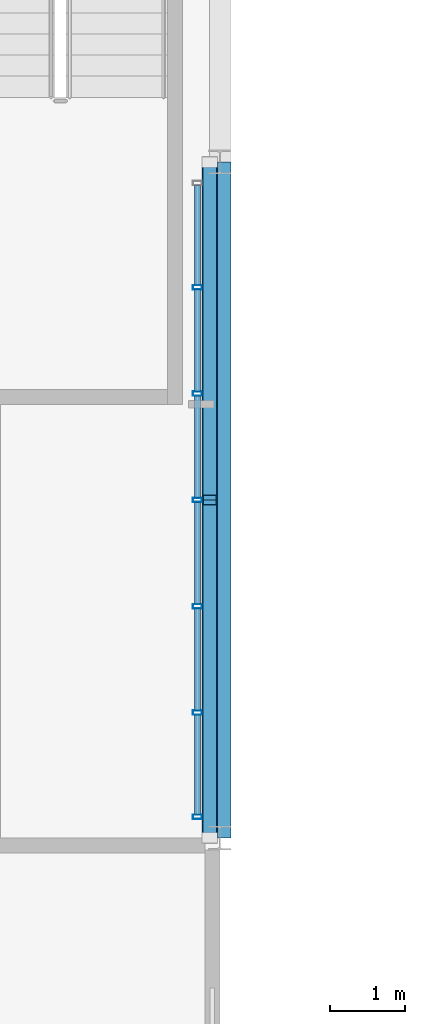
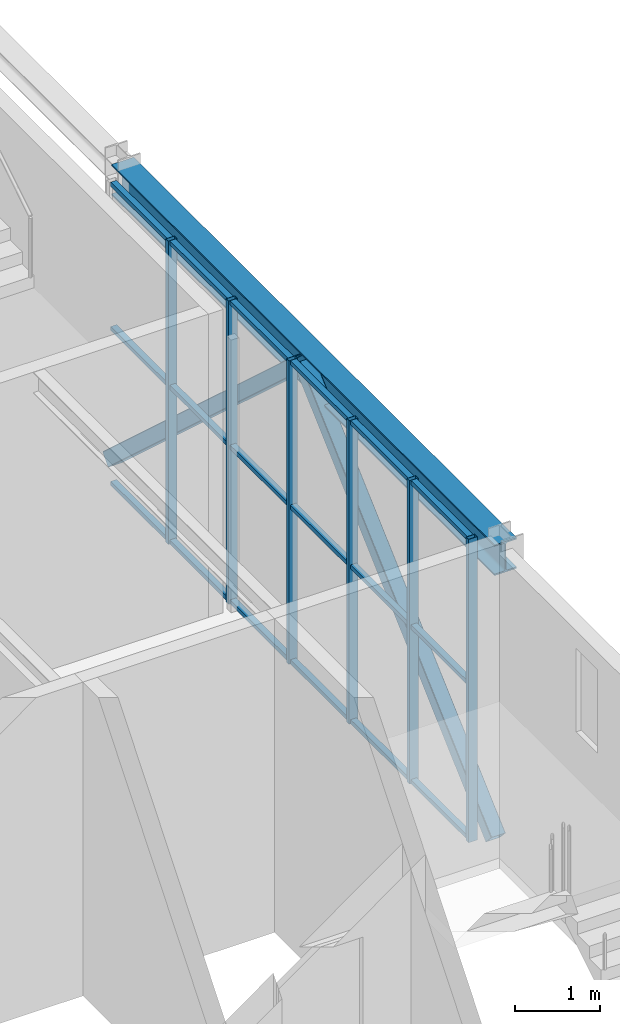
# One storey, part 44 of 111: 26 members, 1 beam, 1 element without a shape of its own.
"""IFC4 building model written with IfcOpenShell, lengths in metres."""

import ifcopenshell
import ifcopenshell.guid

model = None  # the IFC model being written
_history = None  # IfcOwnerHistory: only IFC2X3 demands one
_inside = {}  # id of a spatial element -> (the spatial element, [elements in it])
_under = {}  # id of a project, library or spatial element -> (it, [spatial elements below it])
_declared = {}  # id of a project -> (the project, [libraries it declares])
_typed = {}  # id of a type object -> (the type object, [elements of that type])
_made_of = {}  # id of a material, layer set ... -> (it, [elements and type objects made of it])


def new_model(schema):
    """Start an empty IFC model of exactly this schema.

    Asked for "IFC4X3", IfcOpenShell would pick the latest addendum, in which some entities
    have other attributes; the version numbers below select the first issue.
    IFC2X3 requires an IfcOwnerHistory on every rooted entity: one is made here for all.
    """
    global model, _history
    if schema == "IFC4X3":
        model = ifcopenshell.file(schema_version=(4, 3, 0, 0))
    else:
        model = ifcopenshell.file(schema=schema)
    _inside.clear()
    _under.clear()
    _declared.clear()
    _typed.clear()
    _made_of.clear()
    _history = None
    if model.schema == "IFC2X3":
        org = make("IfcOrganization", Name="unknown")
        user = make(
            "IfcPersonAndOrganization",
            ThePerson=make("IfcPerson", FamilyName="unknown"),
            TheOrganization=org,
        )
        app = make(
            "IfcApplication",
            ApplicationDeveloper=org,
            Version="unknown",
            ApplicationFullName="unknown",
            ApplicationIdentifier="unknown",
        )
        _history = make(
            "IfcOwnerHistory",
            OwningUser=user,
            OwningApplication=app,
            ChangeAction="ADDED",
            CreationDate=0,
        )
    return model


def make(cls, **values):
    """One entity of the class cls with the attributes given. An attribute that is None is left unset."""
    return model.create_entity(
        cls, **{name: value for name, value in values.items() if value is not None}
    )


def rooted(cls, **values):
    """An entity with a GlobalId (a new one), such as an element, a storey or a relation."""
    return make(cls, GlobalId=ifcopenshell.guid.new(), OwnerHistory=_history, **values)


def si_unit(unit_type, name, prefix=None):
    """IfcSIUnit, for example si_unit("LENGTHUNIT", "METRE", prefix="MILLI")."""
    return make("IfcSIUnit", UnitType=unit_type, Prefix=prefix, Name=name)


def assignment(units):
    """IfcUnitAssignment: the units of a project."""
    return None if units is None else make("IfcUnitAssignment", Units=units)


def point(xyz):
    """IfcCartesianPoint."""
    return None if xyz is None else make("IfcCartesianPoint", Coordinates=xyz)


def direction(xyz):
    """IfcDirection."""
    return None if xyz is None else make("IfcDirection", DirectionRatios=xyz)


def frame(location, z_axis=None, x_axis=None):
    """IfcAxis2Placement3D, a coordinate frame: its origin and axes. An axis left out is left unset."""
    return make(
        "IfcAxis2Placement3D",
        Location=point(location),
        Axis=direction(z_axis),
        RefDirection=direction(x_axis),
    )


def frame_2d(location, x_axis=None):
    """IfcAxis2Placement2D, a coordinate frame in the plane: its origin and x axis."""
    return make(
        "IfcAxis2Placement2D", Location=point(location), RefDirection=direction(x_axis)
    )


def origin():
    """The frame at (0, 0, 0) with its axes left unset."""
    return frame((0.0, 0.0, 0.0))


def origin_2d():
    """The frame at (0, 0) in the plane with its x axis left unset."""
    return frame_2d((0.0, 0.0))


def place(relative_to, where):
    """IfcLocalPlacement: puts the frame where relative to a parent placement (None: the world)."""
    return make(
        "IfcLocalPlacement", PlacementRelTo=relative_to, RelativePlacement=where
    )


def context(
    kind, dimensions, precision=None, world=None, true_north=None, identifier=None
):
    """IfcGeometricRepresentationContext, for example the 3D "Model" context."""
    return make(
        "IfcGeometricRepresentationContext",
        ContextIdentifier=identifier,
        ContextType=kind,
        CoordinateSpaceDimension=dimensions,
        Precision=precision,
        WorldCoordinateSystem=world,
        TrueNorth=true_north,
    )


def subcontext(parent, identifier, kind, view, scale=None):
    """IfcGeometricRepresentationSubContext, for example "Body" below "Model"."""
    return make(
        "IfcGeometricRepresentationSubContext",
        ContextIdentifier=identifier,
        ContextType=kind,
        ParentContext=parent,
        TargetScale=scale,
        TargetView=view,
    )


def project(units=None, contexts=None):
    """IfcProject with its units and contexts."""
    return rooted(
        "IfcProject",
        Name="project",
        RepresentationContexts=contexts,
        UnitsInContext=assignment(units),
    )


def spatial(cls, under=None, at=None, **own):
    """A site, building, storey or space (cls), placed at a placement, below another one or the project."""
    s = rooted(cls, ObjectPlacement=at, **own)
    if under is not None:
        _under.setdefault(under.id(), (under, []))[1].append(s)
    return s


def profile(cls, at=None, kind="AREA", **sizes):
    """A parametric profile (cls). Its sizes go by their IFC names, for example OverallWidth=200.0."""
    return make(cls, ProfileType=kind, Position=at, **sizes)


def hollow_rectangle(**sizes):
    """IfcRectangleHollowProfileDef."""
    return profile("IfcRectangleHollowProfileDef", **sizes)


def i_section(**sizes):
    """IfcIShapeProfileDef."""
    return profile("IfcIShapeProfileDef", **sizes)


def extrude(swept, where, along, depth):
    """IfcExtrudedAreaSolid: the profile swept, set in the frame where, extruded along a direction by depth."""
    return make(
        "IfcExtrudedAreaSolid",
        SweptArea=swept,
        Position=where,
        ExtrudedDirection=direction(along),
        Depth=depth,
    )


def shape(context_of_items, identifier, shape_type, items):
    """IfcShapeRepresentation: the items that make up one representation, for example the "Body"."""
    return make(
        "IfcShapeRepresentation",
        ContextOfItems=context_of_items,
        RepresentationIdentifier=identifier,
        RepresentationType=shape_type,
        Items=items,
    )


def material(Name=None, Category=None):
    """IfcMaterial."""
    return make("IfcMaterial", Name=Name, Category=Category)


def layer(
    of_material, thickness, ventilated=None, Name=None, Category=None, Priority=None
):
    """IfcMaterialLayer: one layer of a wall or slab, of a material (None: an air gap)."""
    return make(
        "IfcMaterialLayer",
        Material=of_material,
        LayerThickness=thickness,
        IsVentilated=ventilated,
        Name=Name,
        Category=Category,
        Priority=Priority,
    )


def layer_set(layers, Name=None):
    """IfcMaterialLayerSet."""
    return make("IfcMaterialLayerSet", MaterialLayers=layers, LayerSetName=Name)


def material_profile(
    of_material, cross_section, Name=None, Category=None, Priority=None
):
    """IfcMaterialProfile: a cross section and its material."""
    return make(
        "IfcMaterialProfile",
        Name=Name,
        Material=of_material,
        Profile=cross_section,
        Priority=Priority,
        Category=Category,
    )


def profile_set(profiles, Name=None, composite=None):
    """IfcMaterialProfileSet."""
    return make(
        "IfcMaterialProfileSet",
        Name=Name,
        MaterialProfiles=profiles,
        CompositeProfile=composite,
    )


def made_of(thing, what):
    """Note that an element or type object is made of a material, layer set ...; save() writes the relation."""
    if what is not None:
        _made_of.setdefault(what.id(), (what, []))[1].append(thing)
    return thing


def type_object(cls, material=None, **own):
    """A type object (cls), such as IfcWallType, which elements share."""
    return made_of(rooted(cls, **own), material)


def element(
    cls,
    number,
    at=None,
    inside=None,
    cuts=None,
    type_object=None,
    material=None,
    context=None,
    identifier="Body",
    shape_type=None,
    held_by="IfcProductDefinitionShape",
    body=None,
    shapes=None,
    **own,
):
    """One element of the class cls, such as IfcWall. Its Tag is "e" and its number.

    at: its placement. inside: the storey or other place that contains it. cuts: it is an
    opening in that element (IfcRelVoidsElement). A single representation is given by context,
    identifier, shape_type and body (its items); several are given by shapes. held_by: the class
    of the entity that holds the representations. save() writes the other relations.
    """
    e = rooted(cls, Tag="e%d" % number, ObjectPlacement=at, **own)
    if body is not None:
        shapes = [shape(context, identifier, shape_type, body)]
    if shapes is not None:
        e.Representation = make(held_by, Representations=shapes)
    if inside is not None:
        _inside.setdefault(inside.id(), (inside, []))[1].append(e)
    if cuts is not None:
        rooted(
            "IfcRelVoidsElement", RelatingBuildingElement=cuts, RelatedOpeningElement=e
        )
    if type_object is not None:
        _typed.setdefault(type_object.id(), (type_object, []))[1].append(e)
    return made_of(e, material)


def aggregate(whole, parts):
    """IfcRelAggregates: a whole, such as a stair, and the parts it consists of."""
    return rooted("IfcRelAggregates", RelatingObject=whole, RelatedObjects=parts)


def save(model, path):
    """Write the relations noted so far, then the file.

    IfcRelAggregates (storeys below a building ...), IfcRelContainedInSpatialStructure (elements
    in a storey), IfcRelDefinesByType, IfcRelAssociatesMaterial and IfcRelDeclares: one each for
    every whole, place, type object, material and project.
    """
    for whole, parts in _under.values():
        aggregate(whole, parts)
    for where, things in _inside.values():
        rooted(
            "IfcRelContainedInSpatialStructure",
            RelatedElements=things,
            RelatingStructure=where,
        )
    for kind, things in _typed.values():
        rooted("IfcRelDefinesByType", RelatedObjects=things, RelatingType=kind)
    for what, things in _made_of.values():
        rooted("IfcRelAssociatesMaterial", RelatedObjects=things, RelatingMaterial=what)
    for by, libraries in _declared.values():
        rooted("IfcRelDeclares", RelatingContext=by, RelatedDefinitions=libraries)
    model.write(path)


model = new_model("IFC4")

# Units and contexts
model_context = context("Model", 3, precision=1e-05, world=origin(), true_north=direction((0.0, 1.0)))
body_context = subcontext(model_context, "Body", "Model", "MODEL_VIEW")
ifc_project = project(units=[si_unit("LENGTHUNIT", "METRE"), si_unit("AREAUNIT", "SQUARE_METRE"), si_unit("VOLUMEUNIT", "CUBIC_METRE"), si_unit("PLANEANGLEUNIT", "RADIAN"), si_unit("MASSUNIT", "GRAM", prefix="KILO")], contexts=[model_context])

# Site, building, storey
site_placement = place(None, origin())
site = spatial("IfcSite", under=ifc_project, at=site_placement, CompositionType="ELEMENT")
building_placement = place(site_placement, origin())
building = spatial("IfcBuilding", under=site, at=building_placement, Name="Kallimachos Central Library", CompositionType="ELEMENT")
storey_placement = place(building_placement, frame((0.0, 0.0, 14.39990234375)))
storey = spatial("IfcBuildingStorey", under=building, at=storey_placement, Name="L03", CompositionType="ELEMENT", Elevation=14.39990234375)

# Curtain wall, members
ifc_material_1 = material(Name="Anodised aluminium and laminated glass", Category="aluminium")
ifc_layer = layer(ifc_material_1, 0.159912109375)
ifc_layer_set = layer_set([ifc_layer], Name="Glass box curtain wall")
curtain_wall_type = type_object("IfcCurtainWallType", Name="Glass box curtain wall", PredefinedType="NOTDEFINED", material=ifc_layer_set)
curtain_wall_placement = place(storey_placement, origin())
curtain_wall = element("IfcCurtainWall", 1, at=curtain_wall_placement, inside=storey, type_object=curtain_wall_type, Name="Glass box curtain wall E L03", PredefinedType="NOTDEFINED")
ifc_material_2 = material(Name="Anodised aluminium", Category="aluminium")
ifc_material_profile_1 = material_profile(ifc_material_2, hollow_rectangle(XDim=0.06005859375, YDim=0.1201171875, WallThickness=0.00390625, at=origin_2d()), Name="ALU MULLION 60x120")
ifc_profile_set_1 = profile_set([ifc_material_profile_1], Name="Anodised aluminium")
member_type_1 = type_object("IfcMemberType", Name="Glass box mullion 60x120", PredefinedType="MULLION", material=ifc_profile_set_1)
member_1_placement = place(storey_placement, frame((110.199951171875, 96.280029296875, 0.0), z_axis=(0.0, 0.0, 1.0), x_axis=(0.0, 1.0, 0.0)))
member_1 = element("IfcMember", 2, at=member_1_placement, type_object=member_type_1, Name="CW25 mullion 1", PredefinedType="MULLION", context=body_context, shape_type="SweptSolid", body=[
    extrude(hollow_rectangle(XDim=0.06005859375, YDim=0.1201171875, WallThickness=0.00390625, at=origin_2d()), origin(), (0.0, 0.0, 1.0), 4.35009765625),
])
member_2_placement = place(storey_placement, frame((110.199951171875, 97.666748046875, 0.0), z_axis=(0.0, 0.0, 1.0), x_axis=(0.0, 1.0, 0.0)))
member_2 = element("IfcMember", 3, at=member_2_placement, type_object=member_type_1, Name="CW25 mullion 2", PredefinedType="MULLION", context=body_context, shape_type="SweptSolid", body=[
    extrude(hollow_rectangle(XDim=0.06005859375, YDim=0.1201171875, WallThickness=0.00390625, at=origin_2d()), origin(), (0.0, 0.0, 1.0), 4.35009765625),
])
member_3_placement = place(storey_placement, frame((110.199951171875, 99.083251953125, 0.0), z_axis=(0.0, 0.0, 1.0), x_axis=(0.0, 1.0, 0.0)))
member_3 = element("IfcMember", 4, at=member_3_placement, type_object=member_type_1, Name="CW25 mullion 3", PredefinedType="MULLION", context=body_context, shape_type="SweptSolid", body=[
    extrude(hollow_rectangle(XDim=0.06005859375, YDim=0.1201171875, WallThickness=0.00390625, at=origin_2d()), origin(), (0.0, 0.0, 1.0), 4.35009765625),
])
member_4_placement = place(storey_placement, frame((110.199951171875, 100.5, 0.0), z_axis=(0.0, 0.0, 1.0), x_axis=(0.0, 1.0, 0.0)))
member_4 = element("IfcMember", 5, at=member_4_placement, type_object=member_type_1, Name="CW25 mullion 4", PredefinedType="MULLION", context=body_context, shape_type="SweptSolid", body=[
    extrude(hollow_rectangle(XDim=0.06005859375, YDim=0.1201171875, WallThickness=0.00390625, at=origin_2d()), origin(), (0.0, 0.0, 1.0), 4.35009765625),
])
member_5_placement = place(storey_placement, frame((110.199951171875, 101.916748046875, 0.0), z_axis=(0.0, 0.0, 1.0), x_axis=(0.0, 1.0, 0.0)))
member_5 = element("IfcMember", 6, at=member_5_placement, type_object=member_type_1, Name="CW25 mullion 5", PredefinedType="MULLION", context=body_context, shape_type="SweptSolid", body=[
    extrude(hollow_rectangle(XDim=0.06005859375, YDim=0.1201171875, WallThickness=0.00390625, at=origin_2d()), origin(), (0.0, 0.0, 1.0), 4.35009765625),
])
member_6_placement = place(storey_placement, frame((110.199951171875, 103.333251953125, 0.0), z_axis=(0.0, 0.0, 1.0), x_axis=(0.0, 1.0, 0.0)))
member_6 = element("IfcMember", 7, at=member_6_placement, type_object=member_type_1, Name="CW25 mullion 6", PredefinedType="MULLION", context=body_context, shape_type="SweptSolid", body=[
    extrude(hollow_rectangle(XDim=0.06005859375, YDim=0.1201171875, WallThickness=0.00390625, at=origin_2d()), origin(), (0.0, 0.0, 1.0), 4.35009765625),
])
ifc_material_3 = material(Name="Anodised aluminium", Category="aluminium")
ifc_material_profile_2 = material_profile(ifc_material_3, hollow_rectangle(XDim=0.06005859375, YDim=0.080078125, WallThickness=0.00390625, at=origin_2d()), Name="ALU TRANSOM 60x80")
ifc_profile_set_2 = profile_set([ifc_material_profile_2], Name="Anodised aluminium")
member_type_2 = type_object("IfcMemberType", Name="Glass box transom 60x80", PredefinedType="USERDEFINED", material=ifc_profile_set_2)
member_7_placement = place(storey_placement, frame((110.199951171875, 96.31005859375, 0.030029296875), z_axis=(0.0, 1.0, 0.0), x_axis=(0.0, 0.0, 1.0)))
member_7 = element("IfcMember", 8, at=member_7_placement, type_object=member_type_2, Name="CW25 transom 1.1", ObjectType="TRANSOM", PredefinedType="USERDEFINED", context=body_context, shape_type="SweptSolid", body=[
    extrude(hollow_rectangle(XDim=0.06005859375, YDim=0.080078125, WallThickness=0.00390625, at=origin_2d()), origin(), (0.0, 0.0, 1.0), 1.32666015625),
])
member_8_placement = place(storey_placement, frame((110.199951171875, 96.31005859375, 2.25), z_axis=(0.0, 1.0, 0.0), x_axis=(0.0, 0.0, 1.0)))
member_8 = element("IfcMember", 9, at=member_8_placement, type_object=member_type_2, Name="CW25 transom 1.2", ObjectType="TRANSOM", PredefinedType="USERDEFINED", context=body_context, shape_type="SweptSolid", body=[
    extrude(hollow_rectangle(XDim=0.06005859375, YDim=0.080078125, WallThickness=0.00390625, at=origin_2d()), origin(), (0.0, 0.0, 1.0), 1.32666015625),
])
member_9_placement = place(storey_placement, frame((110.199951171875, 96.31005859375, 4.320068359375), z_axis=(0.0, 1.0, 0.0), x_axis=(0.0, 0.0, 1.0)))
member_9 = element("IfcMember", 10, at=member_9_placement, type_object=member_type_2, Name="CW25 transom 1.3", ObjectType="TRANSOM", PredefinedType="USERDEFINED", context=body_context, shape_type="SweptSolid", body=[
    extrude(hollow_rectangle(XDim=0.06005859375, YDim=0.080078125, WallThickness=0.00390625, at=origin_2d()), origin(), (0.0, 0.0, 1.0), 1.32666015625),
])
member_10_placement = place(storey_placement, frame((110.199951171875, 97.69677734375, 0.030029296875), z_axis=(0.0, 1.0, 0.0), x_axis=(0.0, 0.0, 1.0)))
member_10 = element("IfcMember", 11, at=member_10_placement, type_object=member_type_2, Name="CW25 transom 2.1", ObjectType="TRANSOM", PredefinedType="USERDEFINED", context=body_context, shape_type="SweptSolid", body=[
    extrude(hollow_rectangle(XDim=0.06005859375, YDim=0.080078125, WallThickness=0.00390625, at=origin_2d()), origin(), (0.0, 0.0, 1.0), 1.3564453125),
])
member_11_placement = place(storey_placement, frame((110.199951171875, 97.69677734375, 2.25), z_axis=(0.0, 1.0, 0.0), x_axis=(0.0, 0.0, 1.0)))
member_11 = element("IfcMember", 12, at=member_11_placement, type_object=member_type_2, Name="CW25 transom 2.2", ObjectType="TRANSOM", PredefinedType="USERDEFINED", context=body_context, shape_type="SweptSolid", body=[
    extrude(hollow_rectangle(XDim=0.06005859375, YDim=0.080078125, WallThickness=0.00390625, at=origin_2d()), origin(), (0.0, 0.0, 1.0), 1.3564453125),
])
member_12_placement = place(storey_placement, frame((110.199951171875, 97.69677734375, 4.320068359375), z_axis=(0.0, 1.0, 0.0), x_axis=(0.0, 0.0, 1.0)))
member_12 = element("IfcMember", 13, at=member_12_placement, type_object=member_type_2, Name="CW25 transom 2.3", ObjectType="TRANSOM", PredefinedType="USERDEFINED", context=body_context, shape_type="SweptSolid", body=[
    extrude(hollow_rectangle(XDim=0.06005859375, YDim=0.080078125, WallThickness=0.00390625, at=origin_2d()), origin(), (0.0, 0.0, 1.0), 1.3564453125),
])
member_13_placement = place(storey_placement, frame((110.199951171875, 99.11328125, 0.030029296875), z_axis=(0.0, 1.0, 0.0), x_axis=(0.0, 0.0, 1.0)))
member_13 = element("IfcMember", 14, at=member_13_placement, type_object=member_type_2, Name="CW25 transom 3.1", ObjectType="TRANSOM", PredefinedType="USERDEFINED", context=body_context, shape_type="SweptSolid", body=[
    extrude(hollow_rectangle(XDim=0.06005859375, YDim=0.080078125, WallThickness=0.00390625, at=origin_2d()), origin(), (0.0, 0.0, 1.0), 1.356689453125),
])
member_14_placement = place(storey_placement, frame((110.199951171875, 99.11328125, 2.25), z_axis=(0.0, 1.0, 0.0), x_axis=(0.0, 0.0, 1.0)))
member_14 = element("IfcMember", 15, at=member_14_placement, type_object=member_type_2, Name="CW25 transom 3.2", ObjectType="TRANSOM", PredefinedType="USERDEFINED", context=body_context, shape_type="SweptSolid", body=[
    extrude(hollow_rectangle(XDim=0.06005859375, YDim=0.080078125, WallThickness=0.00390625, at=origin_2d()), origin(), (0.0, 0.0, 1.0), 1.356689453125),
])
member_15_placement = place(storey_placement, frame((110.199951171875, 99.11328125, 4.320068359375), z_axis=(0.0, 1.0, 0.0), x_axis=(0.0, 0.0, 1.0)))
member_15 = element("IfcMember", 16, at=member_15_placement, type_object=member_type_2, Name="CW25 transom 3.3", ObjectType="TRANSOM", PredefinedType="USERDEFINED", context=body_context, shape_type="SweptSolid", body=[
    extrude(hollow_rectangle(XDim=0.06005859375, YDim=0.080078125, WallThickness=0.00390625, at=origin_2d()), origin(), (0.0, 0.0, 1.0), 1.356689453125),
])
member_16_placement = place(storey_placement, frame((110.199951171875, 100.530029296875, 0.030029296875), z_axis=(0.0, 1.0, 0.0), x_axis=(0.0, 0.0, 1.0)))
member_16 = element("IfcMember", 17, at=member_16_placement, type_object=member_type_2, Name="CW25 transom 4.1", ObjectType="TRANSOM", PredefinedType="USERDEFINED", context=body_context, shape_type="SweptSolid", body=[
    extrude(hollow_rectangle(XDim=0.06005859375, YDim=0.080078125, WallThickness=0.00390625, at=origin_2d()), origin(), (0.0, 0.0, 1.0), 1.356689453125),
])
member_17_placement = place(storey_placement, frame((110.199951171875, 100.530029296875, 2.25), z_axis=(0.0, 1.0, 0.0), x_axis=(0.0, 0.0, 1.0)))
member_17 = element("IfcMember", 18, at=member_17_placement, type_object=member_type_2, Name="CW25 transom 4.2", ObjectType="TRANSOM", PredefinedType="USERDEFINED", context=body_context, shape_type="SweptSolid", body=[
    extrude(hollow_rectangle(XDim=0.06005859375, YDim=0.080078125, WallThickness=0.00390625, at=origin_2d()), origin(), (0.0, 0.0, 1.0), 1.356689453125),
])
member_18_placement = place(storey_placement, frame((110.199951171875, 100.530029296875, 4.320068359375), z_axis=(0.0, 1.0, 0.0), x_axis=(0.0, 0.0, 1.0)))
member_18 = element("IfcMember", 19, at=member_18_placement, type_object=member_type_2, Name="CW25 transom 4.3", ObjectType="TRANSOM", PredefinedType="USERDEFINED", context=body_context, shape_type="SweptSolid", body=[
    extrude(hollow_rectangle(XDim=0.06005859375, YDim=0.080078125, WallThickness=0.00390625, at=origin_2d()), origin(), (0.0, 0.0, 1.0), 1.356689453125),
])
member_19_placement = place(storey_placement, frame((110.199951171875, 101.94677734375, 0.030029296875), z_axis=(0.0, 1.0, 0.0), x_axis=(0.0, 0.0, 1.0)))
member_19 = element("IfcMember", 20, at=member_19_placement, type_object=member_type_2, Name="CW25 transom 5.1", ObjectType="TRANSOM", PredefinedType="USERDEFINED", context=body_context, shape_type="SweptSolid", body=[
    extrude(hollow_rectangle(XDim=0.06005859375, YDim=0.080078125, WallThickness=0.00390625, at=origin_2d()), origin(), (0.0, 0.0, 1.0), 1.3564453125),
])
member_20_placement = place(storey_placement, frame((110.199951171875, 101.94677734375, 2.25), z_axis=(0.0, 1.0, 0.0), x_axis=(0.0, 0.0, 1.0)))
member_20 = element("IfcMember", 21, at=member_20_placement, type_object=member_type_2, Name="CW25 transom 5.2", ObjectType="TRANSOM", PredefinedType="USERDEFINED", context=body_context, shape_type="SweptSolid", body=[
    extrude(hollow_rectangle(XDim=0.06005859375, YDim=0.080078125, WallThickness=0.00390625, at=origin_2d()), origin(), (0.0, 0.0, 1.0), 1.3564453125),
])
member_21_placement = place(storey_placement, frame((110.199951171875, 101.94677734375, 4.320068359375), z_axis=(0.0, 1.0, 0.0), x_axis=(0.0, 0.0, 1.0)))
member_21 = element("IfcMember", 22, at=member_21_placement, type_object=member_type_2, Name="CW25 transom 5.3", ObjectType="TRANSOM", PredefinedType="USERDEFINED", context=body_context, shape_type="SweptSolid", body=[
    extrude(hollow_rectangle(XDim=0.06005859375, YDim=0.080078125, WallThickness=0.00390625, at=origin_2d()), origin(), (0.0, 0.0, 1.0), 1.3564453125),
])
member_22_placement = place(storey_placement, frame((110.199951171875, 103.36328125, 0.030029296875), z_axis=(0.0, 1.0, 0.0), x_axis=(0.0, 0.0, 1.0)))
member_22 = element("IfcMember", 23, at=member_22_placement, type_object=member_type_2, Name="CW25 transom 6.1", ObjectType="TRANSOM", PredefinedType="USERDEFINED", context=body_context, shape_type="SweptSolid", body=[
    extrude(hollow_rectangle(XDim=0.06005859375, YDim=0.080078125, WallThickness=0.00390625, at=origin_2d()), origin(), (0.0, 0.0, 1.0), 1.32666015625),
])
member_23_placement = place(storey_placement, frame((110.199951171875, 103.36328125, 2.25), z_axis=(0.0, 1.0, 0.0), x_axis=(0.0, 0.0, 1.0)))
member_23 = element("IfcMember", 24, at=member_23_placement, type_object=member_type_2, Name="CW25 transom 6.2", ObjectType="TRANSOM", PredefinedType="USERDEFINED", context=body_context, shape_type="SweptSolid", body=[
    extrude(hollow_rectangle(XDim=0.06005859375, YDim=0.080078125, WallThickness=0.00390625, at=origin_2d()), origin(), (0.0, 0.0, 1.0), 1.32666015625),
])
member_24_placement = place(storey_placement, frame((110.199951171875, 103.36328125, 4.320068359375), z_axis=(0.0, 1.0, 0.0), x_axis=(0.0, 0.0, 1.0)))
member_24 = element("IfcMember", 25, at=member_24_placement, type_object=member_type_2, Name="CW25 transom 6.3", ObjectType="TRANSOM", PredefinedType="USERDEFINED", context=body_context, shape_type="SweptSolid", body=[
    extrude(hollow_rectangle(XDim=0.06005859375, YDim=0.080078125, WallThickness=0.00390625, at=origin_2d()), origin(), (0.0, 0.0, 1.0), 1.32666015625),
])
aggregate(curtain_wall, [member_1, member_2, member_3, member_4, member_5, member_6, member_7, member_8, member_9, member_10, member_11, member_12, member_13, member_14, member_15, member_16, member_17, member_18, member_19, member_20, member_21, member_22, member_23, member_24])

# Beam
ifc_material_4 = material(Name="Steel S355J2", Category="steel")
ifc_material_profile_3 = material_profile(ifc_material_4, i_section(OverallWidth=0.300048828125, OverallDepth=0.43994140625, WebThickness=0.011474609375, FlangeThickness=0.02099609375, FilletRadius=0.027099609375, at=origin_2d()), Name="HEA 450")
ifc_profile_set_3 = profile_set([ifc_material_profile_3], Name="Steel S355J2")
beam_type = type_object("IfcBeamType", Name="HEA 450 beam", PredefinedType="BEAM", material=ifc_profile_set_3)
beam_placement = place(storey_placement, frame((110.5, 96.0, 4.130126953125), z_axis=(0.0, 1.0, 0.0), x_axis=(-1.0, 0.0, 0.0)))
element("IfcBeam", 26, at=beam_placement, inside=storey, type_object=beam_type, Name="V1-BEM-L03-035", PredefinedType="BEAM", context=body_context, shape_type="SweptSolid", body=[
    extrude(i_section(OverallWidth=0.300048828125, OverallDepth=0.43994140625, WebThickness=0.011474609375, FlangeThickness=0.02099609375, FilletRadius=0.027099609375, at=origin_2d()), origin(), (0.0, 0.0, 1.0), 9.0),
])

# Members
ifc_material_5 = material(Name="Steel S355J2H", Category="steel")
ifc_material_profile_4 = material_profile(ifc_material_5, hollow_rectangle(XDim=0.199951171875, YDim=0.199951171875, WallThickness=0.010009765625, InnerFilletRadius=0.010009765625, OuterFilletRadius=0.014892578125, at=origin_2d()), Name="SHS 200x200x10")
ifc_profile_set_4 = profile_set([ifc_material_profile_4], Name="Steel S355J2H")
member_type_3 = type_object("IfcMemberType", Name="SHS 200x200x10 brace", PredefinedType="BRACE", material=ifc_profile_set_4)
for number, where, z_axis, x_axis, name in (
    (27, (110.364990234375, 96.0, 0.150146484375), (0.0, 0.7392083166, 0.673476847909), (-1.0, 0.0, 0.0), "Chevron brace 110.5 L03"),
    (28, (110.364990234375, 105.0, 0.150146484375), (0.0, -0.7392083166, 0.673476847909), (1.0, 0.0, 0.0), "Chevron brace 110.5 L03"),
):
    element("IfcMember", number, at=place(storey_placement, frame(where, z_axis=z_axis, x_axis=x_axis)), inside=storey, type_object=member_type_3, Name=name, PredefinedType="BRACE", context=body_context, shape_type="SweptSolid", body=[
        extrude(hollow_rectangle(XDim=0.199951171875, YDim=0.199951171875, WallThickness=0.010009765625, InnerFilletRadius=0.010009765625, OuterFilletRadius=0.014892578125, at=origin_2d()), origin(), (0.0, 0.0, 1.0), 6.087646484375),
    ])

save(model, "model.ifc")
